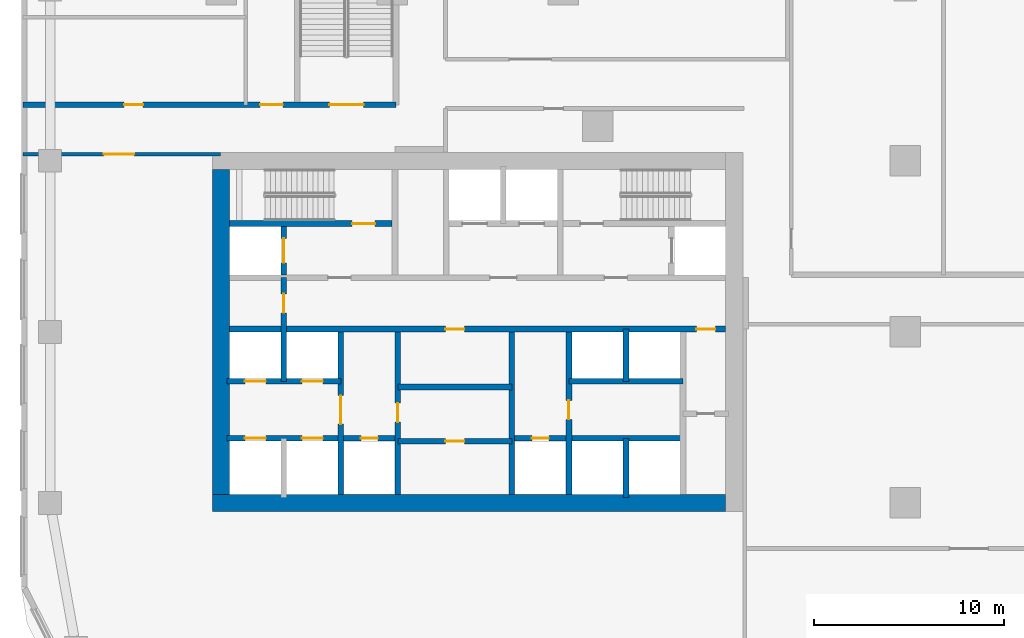
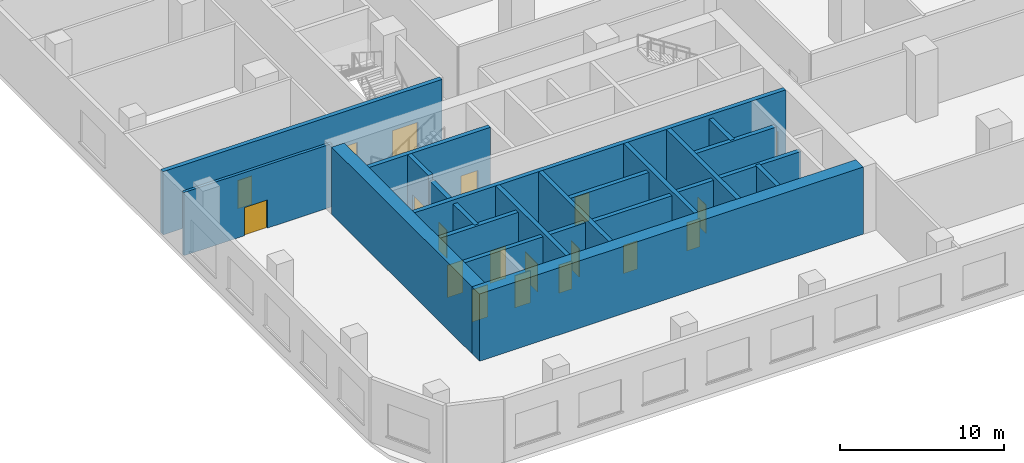
# One storey, part 6 of 35: 20 walls, 19 doors, 19 openings.
"""IFC4 building model written with IfcOpenShell, lengths in metres."""

from ifc_helpers import new_model, si_unit, direction, frame, frame_2d, origin, place, context, subcontext, project, spatial, rectangle, extrude, material, layer, layer_set, type_object, element, fill, save


model = new_model("IFC4")

# Units and contexts
model_context = context("Model", 3, precision=1e-05, world=origin(), true_north=direction((0.0, 1.0)))
body_context = subcontext(model_context, "Body", "Model", "MODEL_VIEW")
ifc_project = project(units=[si_unit("LENGTHUNIT", "METRE"), si_unit("AREAUNIT", "SQUARE_METRE"), si_unit("VOLUMEUNIT", "CUBIC_METRE"), si_unit("PLANEANGLEUNIT", "RADIAN"), si_unit("MASSUNIT", "GRAM", prefix="KILO")], contexts=[model_context])

# Site, building, storey
site_placement = place(None, origin())
site = spatial("IfcSite", under=ifc_project, at=site_placement, CompositionType="ELEMENT")
building_placement = place(site_placement, origin())
building = spatial("IfcBuilding", under=site, at=building_placement, Name="Ogive Portal Towers", CompositionType="ELEMENT")
storey_placement = place(building_placement, frame((0.0, 0.0, 23.5)))
storey = spatial("IfcBuildingStorey", under=building, at=storey_placement, Name="L04", CompositionType="ELEMENT", Elevation=23.5)

# Wall, opening, door
ifc_material_1 = material(Name="Concrete C60/75", Category="concrete")
ifc_layer_1 = layer(ifc_material_1, 0.300048828125)
ifc_layer_set_1 = layer_set([ifc_layer_1], Name="CORE WALL 300 C60")
wall_type_1 = type_object("IfcWallType", Name="CORE WALL 300 C60", PredefinedType="SHEAR", material=ifc_layer_set_1)
wall_1_placement = place(storey_placement, frame((37.800048828125, 21.949951171875, 0.0), z_axis=(0.0, 0.0, 1.0), x_axis=(0.0, 1.0, 0.0)))
wall_1 = element("IfcWall", 1, at=wall_1_placement, inside=storey, type_object=wall_type_1, Name="Core wall X1 L04", PredefinedType="SHEAR", context=body_context, shape_type="SweptSolid", body=[
    extrude(rectangle(XDim=8.550048828125, YDim=0.300048828125, at=frame_2d((4.27490234375, 0.0))), origin(), (0.0, 0.0, 1.0), 5.0),
])
opening_1_placement = place(wall_1_placement, frame((3.699951171875, 0.0, 0.0)))
opening_1 = element("IfcOpeningElement", 2, at=opening_1_placement, cuts=wall_1, Name="Opening D106-001", PredefinedType="OPENING", context=body_context, shape_type="SweptSolid", body=[
    extrude(rectangle(XDim=1.5, YDim=2.10009765625, at=frame_2d((0.75, 1.050048828125))), frame((0.0, 0.16015625, 0.0), z_axis=(0.0, -1.0, 0.0), x_axis=(1.0, 0.0, 0.0)), (0.0, 0.0, 1.0), 0.320068359375),
])
ifc_material_2 = material(Name="Steel fire door", Category="steel")
door_type_1 = type_object("IfcDoorType", Name="DT-SWING-1500x2100-FD90S", OperationType="SINGLE_SWING_LEFT", PredefinedType="DOOR", material=ifc_material_2)
door_1_placement = place(opening_1_placement, origin())
door_1 = element("IfcDoor", 3, at=door_1_placement, inside=storey, type_object=door_type_1, Name="Door D106-001", OperationType="SINGLE_SWING_LEFT", OverallHeight=2.10009765625, OverallWidth=1.5, PredefinedType="DOOR", context=body_context, shape_type="SweptSolid", body=[
    extrude(rectangle(XDim=1.5, YDim=2.10009765625, at=frame_2d((0.75, 1.050048828125))), frame((0.0, 0.02490234375, 0.0), z_axis=(0.0, -1.0, 0.0), x_axis=(1.0, 0.0, 0.0)), (0.0, 0.0, 1.0), 0.050048828125),
])
fill(opening_1, door_1)

wall_2_placement = place(storey_placement, frame((40.800048828125, 21.949951171875, 0.0), z_axis=(0.0, 0.0, 1.0), x_axis=(0.0, 1.0, 0.0)))
wall_2 = element("IfcWall", 4, at=wall_2_placement, inside=storey, type_object=wall_type_1, Name="Core wall X2 L04", PredefinedType="SHEAR", context=body_context, shape_type="SweptSolid", body=[
    extrude(rectangle(XDim=8.550048828125, YDim=0.300048828125, at=frame_2d((4.27490234375, 0.0))), origin(), (0.0, 0.0, 1.0), 5.0),
])
opening_2_placement = place(wall_2_placement, frame((3.800048828125, 0.0, 0.0)))
opening_2 = element("IfcOpeningElement", 5, at=opening_2_placement, cuts=wall_2, Name="Opening D106-020", PredefinedType="OPENING", context=body_context, shape_type="SweptSolid", body=[
    extrude(rectangle(XDim=1.0, YDim=2.10009765625, at=frame_2d((0.5, 1.050048828125))), frame((0.0, 0.16015625, 0.0), z_axis=(0.0, -1.0, 0.0), x_axis=(1.0, 0.0, 0.0)), (0.0, 0.0, 1.0), 0.320068359375),
])
door_type_2 = type_object("IfcDoorType", Name="DT-SWING-1000x2100-FD90S", OperationType="SINGLE_SWING_LEFT", PredefinedType="DOOR", material=ifc_material_2)
door_2_placement = place(opening_2_placement, origin())
door_2 = element("IfcDoor", 6, at=door_2_placement, inside=storey, type_object=door_type_2, Name="Door D106-020", OperationType="SINGLE_SWING_RIGHT", OverallHeight=2.10009765625, OverallWidth=1.0, PredefinedType="DOOR", context=body_context, shape_type="SweptSolid", body=[
    extrude(rectangle(XDim=1.0, YDim=2.10009765625, at=frame_2d((0.5, 1.050048828125))), frame((0.0, 0.02490234375, 0.0), z_axis=(0.0, -1.0, 0.0), x_axis=(1.0, 0.0, 0.0)), (0.0, 0.0, 1.0), 0.050048828125),
])
fill(opening_2, door_2)

# Wall
wall_3_placement = place(storey_placement, frame((46.800048828125, 21.949951171875, 0.0), z_axis=(0.0, 0.0, 1.0), x_axis=(0.0, 1.0, 0.0)))
element("IfcWall", 7, at=wall_3_placement, inside=storey, type_object=wall_type_1, Name="Core wall X3 L04", PredefinedType="SHEAR", context=body_context, shape_type="SweptSolid", body=[
    extrude(rectangle(XDim=8.550048828125, YDim=0.300048828125, at=frame_2d((4.27490234375, 0.0))), origin(), (0.0, 0.0, 1.0), 5.0),
])

# Wall, opening, door
wall_4_placement = place(storey_placement, frame((49.800048828125, 21.949951171875, 0.0), z_axis=(0.0, 0.0, 1.0), x_axis=(0.0, 1.0, 0.0)))
wall_4 = element("IfcWall", 8, at=wall_4_placement, inside=storey, type_object=wall_type_1, Name="Core wall X4 L04", PredefinedType="SHEAR", context=body_context, shape_type="SweptSolid", body=[
    extrude(rectangle(XDim=8.550048828125, YDim=0.300048828125, at=frame_2d((4.27490234375, 0.0))), origin(), (0.0, 0.0, 1.0), 5.0),
])
opening_3_placement = place(wall_4_placement, frame((3.949951171875, 0.0, 0.0)))
opening_3 = element("IfcOpeningElement", 9, at=opening_3_placement, cuts=wall_4, Name="Opening D106-022", PredefinedType="OPENING", context=body_context, shape_type="SweptSolid", body=[
    extrude(rectangle(XDim=1.0, YDim=2.10009765625, at=frame_2d((0.5, 1.050048828125))), frame((0.0, 0.16015625, 0.0), z_axis=(0.0, -1.0, 0.0), x_axis=(1.0, 0.0, 0.0)), (0.0, 0.0, 1.0), 0.320068359375),
])
door_3_placement = place(opening_3_placement, origin())
door_3 = element("IfcDoor", 10, at=door_3_placement, inside=storey, type_object=door_type_2, Name="Door D106-022", OperationType="SINGLE_SWING_RIGHT", OverallHeight=2.10009765625, OverallWidth=1.0, PredefinedType="DOOR", context=body_context, shape_type="SweptSolid", body=[
    extrude(rectangle(XDim=1.0, YDim=2.10009765625, at=frame_2d((0.5, 1.050048828125))), frame((0.0, 0.02490234375, 0.0), z_axis=(0.0, -1.0, 0.0), x_axis=(1.0, 0.0, 0.0)), (0.0, 0.0, 1.0), 0.050048828125),
])
fill(opening_3, door_3)

# Wall, openings, doors
wall_5_placement = place(storey_placement, frame((31.949951171875, 30.64990234375, 0.0), z_axis=(0.0, 0.0, 1.0), x_axis=(1.0, 0.0, 0.0)))
wall_5 = element("IfcWall", 11, at=wall_5_placement, inside=storey, type_object=wall_type_1, Name="Core wall Y1 L04", PredefinedType="SHEAR", context=body_context, shape_type="SweptSolid", body=[
    extrude(rectangle(XDim=26.10009765625, YDim=0.300048828125, at=frame_2d((13.050048828125, 0.0))), origin(), (0.0, 0.0, 1.0), 5.0),
])
opening_4_placement = place(wall_5_placement, frame((24.550048828125, 0.0, 0.0)))
opening_4 = element("IfcOpeningElement", 12, at=opening_4_placement, cuts=wall_5, Name="Opening D106-009", PredefinedType="OPENING", context=body_context, shape_type="SweptSolid", body=[
    extrude(rectangle(XDim=1.0, YDim=2.10009765625, at=frame_2d((0.5, 1.050048828125))), frame((0.0, 0.16015625, 0.0), z_axis=(0.0, -1.0, 0.0), x_axis=(1.0, 0.0, 0.0)), (0.0, 0.0, 1.0), 0.320068359375),
])
opening_5_placement = place(wall_5_placement, frame((11.35009765625, 0.0, 0.0)))
opening_5 = element("IfcOpeningElement", 13, at=opening_5_placement, cuts=wall_5, Name="Opening D106-019", PredefinedType="OPENING", context=body_context, shape_type="SweptSolid", body=[
    extrude(rectangle(XDim=1.0, YDim=2.10009765625, at=frame_2d((0.5, 1.050048828125))), frame((0.0, 0.16015625, 0.0), z_axis=(0.0, -1.0, 0.0), x_axis=(1.0, 0.0, 0.0)), (0.0, 0.0, 1.0), 0.320068359375),
])
door_4_placement = place(opening_4_placement, origin())
door_4 = element("IfcDoor", 14, at=door_4_placement, inside=storey, type_object=door_type_2, Name="Door D106-009", OperationType="SINGLE_SWING_LEFT", OverallHeight=2.10009765625, OverallWidth=1.0, PredefinedType="DOOR", context=body_context, shape_type="SweptSolid", body=[
    extrude(rectangle(XDim=1.0, YDim=2.10009765625, at=frame_2d((0.5, 1.050048828125))), frame((0.0, 0.02490234375, 0.0), z_axis=(0.0, -1.0, 0.0), x_axis=(1.0, 0.0, 0.0)), (0.0, 0.0, 1.0), 0.050048828125),
])
fill(opening_4, door_4)
door_5_placement = place(opening_5_placement, origin())
door_5 = element("IfcDoor", 15, at=door_5_placement, inside=storey, type_object=door_type_2, Name="Door D106-019", OperationType="SINGLE_SWING_LEFT", OverallHeight=2.10009765625, OverallWidth=1.0, PredefinedType="DOOR", context=body_context, shape_type="SweptSolid", body=[
    extrude(rectangle(XDim=1.0, YDim=2.10009765625, at=frame_2d((0.5, 1.050048828125))), frame((0.0, 0.02490234375, 0.0), z_axis=(0.0, -1.0, 0.0), x_axis=(1.0, 0.0, 0.0)), (0.0, 0.0, 1.0), 0.050048828125),
])
fill(opening_5, door_5)

# Wall, opening, door
wall_6_placement = place(storey_placement, frame((31.949951171875, 36.199951171875, 0.0), z_axis=(0.0, 0.0, 1.0), x_axis=(1.0, 0.0, 0.0)))
wall_6 = element("IfcWall", 16, at=wall_6_placement, inside=storey, type_object=wall_type_1, Name="Core wall Y3a L04", PredefinedType="SHEAR", context=body_context, shape_type="SweptSolid", body=[
    extrude(rectangle(XDim=8.550048828125, YDim=0.300048828125, at=frame_2d((4.27490234375, 0.0))), origin(), (0.0, 0.0, 1.0), 5.0),
])
opening_6_placement = place(wall_6_placement, frame((6.449951171875, 0.0, 0.0)))
opening_6 = element("IfcOpeningElement", 17, at=opening_6_placement, cuts=wall_6, Name="Opening D106-005", PredefinedType="OPENING", context=body_context, shape_type="SweptSolid", body=[
    extrude(rectangle(XDim=1.199951171875, YDim=2.10009765625, at=frame_2d((0.60009765625, 1.050048828125))), frame((0.0, 0.16015625, 0.0), z_axis=(0.0, -1.0, 0.0), x_axis=(1.0, 0.0, 0.0)), (0.0, 0.0, 1.0), 0.320068359375),
])
door_type_3 = type_object("IfcDoorType", Name="DT-SWING-1200x2100-FD90S", OperationType="SINGLE_SWING_LEFT", PredefinedType="DOOR", material=ifc_material_2)
door_6_placement = place(opening_6_placement, origin())
door_6 = element("IfcDoor", 18, at=door_6_placement, inside=storey, type_object=door_type_3, Name="Door D106-005", OperationType="SINGLE_SWING_RIGHT", OverallHeight=2.10009765625, OverallWidth=1.199951171875, PredefinedType="DOOR", context=body_context, shape_type="SweptSolid", body=[
    extrude(rectangle(XDim=1.199951171875, YDim=2.10009765625, at=frame_2d((0.60009765625, 1.050048828125))), frame((0.0, 0.02490234375, 0.0), z_axis=(0.0, -1.0, 0.0), x_axis=(1.0, 0.0, 0.0)), (0.0, 0.0, 1.0), 0.050048828125),
])
fill(opening_6, door_6)

wall_7_placement = place(storey_placement, frame((34.800048828125, 33.5, 0.0), z_axis=(0.0, 0.0, 1.0), x_axis=(0.0, 1.0, 0.0)))
wall_7 = element("IfcWall", 19, at=wall_7_placement, inside=storey, type_object=wall_type_1, Name="Core wall X8 L04", PredefinedType="SHEAR", context=body_context, shape_type="SweptSolid", body=[
    extrude(rectangle(XDim=2.550048828125, YDim=0.300048828125, at=frame_2d((1.27490234375, 0.0))), origin(), (0.0, 0.0, 1.0), 5.0),
])
opening_7_placement = place(wall_7_placement, frame((0.625, 0.0, 0.0)))
opening_7 = element("IfcOpeningElement", 20, at=opening_7_placement, cuts=wall_7, Name="Opening D106-017", PredefinedType="OPENING", context=body_context, shape_type="SweptSolid", body=[
    extrude(rectangle(XDim=1.300048828125, YDim=2.39990234375, at=frame_2d((0.64990234375, 1.199951171875))), frame((0.0, 0.16015625, 0.0), z_axis=(0.0, -1.0, 0.0), x_axis=(1.0, 0.0, 0.0)), (0.0, 0.0, 1.0), 0.320068359375),
])
ifc_material_3 = material(Name="Stainless steel", Category="steel")
door_type_4 = type_object("IfcDoorType", Name="DT-LD-1300x2400", OperationType="SLIDING_TO_LEFT", PredefinedType="DOOR", material=ifc_material_3)
door_7_placement = place(opening_7_placement, origin())
door_7 = element("IfcDoor", 21, at=door_7_placement, inside=storey, type_object=door_type_4, Name="Door D106-017", OperationType="SLIDING_TO_LEFT", OverallHeight=2.39990234375, OverallWidth=1.300048828125, PredefinedType="DOOR", context=body_context, shape_type="SweptSolid", body=[
    extrude(rectangle(XDim=1.300048828125, YDim=2.39990234375, at=frame_2d((0.64990234375, 1.199951171875))), frame((0.0, 0.02490234375, 0.0), z_axis=(0.0, -1.0, 0.0), x_axis=(1.0, 0.0, 0.0)), (0.0, 0.0, 1.0), 0.050048828125),
])
fill(opening_7, door_7)

# Walls
ifc_layer_2 = layer(ifc_material_1, 0.89990234375)
ifc_layer_set_2 = layer_set([ifc_layer_2], Name="CORE WALL 900 C60")
wall_type_2 = type_object("IfcWallType", Name="CORE WALL 900 C60", PredefinedType="SHEAR", material=ifc_layer_set_2)
wall_8_placement = place(storey_placement, frame((31.5, 21.949951171875, 0.0), z_axis=(0.0, 0.0, 1.0), x_axis=(0.0, 1.0, 0.0)))
element("IfcWall", 22, at=wall_8_placement, inside=storey, type_object=wall_type_2, Name="Core wall W L04", PredefinedType="SHEAR", context=body_context, shape_type="SweptSolid", body=[
    extrude(rectangle(XDim=17.10009765625, YDim=0.89990234375, at=frame_2d((8.550048828125, 0.0))), origin(), (0.0, 0.0, 1.0), 5.0),
])
wall_9_placement = place(storey_placement, frame((31.050048828125, 21.5, 0.0), z_axis=(0.0, 0.0, 1.0), x_axis=(1.0, 0.0, 0.0)))
element("IfcWall", 23, at=wall_9_placement, inside=storey, type_object=wall_type_2, Name="Core wall S L04", PredefinedType="SHEAR", context=body_context, shape_type="SweptSolid", body=[
    extrude(rectangle(XDim=27.0, YDim=0.89990234375, at=frame_2d((13.5, 0.0))), origin(), (0.0, 0.0, 1.0), 5.0),
])

# Wall, openings, doors
ifc_material_4 = material(Name="Concrete C50/60", Category="concrete")
ifc_layer_3 = layer(ifc_material_4, 0.300048828125)
ifc_layer_set_3 = layer_set([ifc_layer_3], Name="STAIR WALL 300 C50")
wall_type_3 = type_object("IfcWallType", Name="STAIR WALL 300 C50", PredefinedType="SHEAR", material=ifc_layer_set_3)
wall_10_placement = place(storey_placement, frame((21.070068359375, 42.449951171875, 0.0), z_axis=(0.0, 0.0, 1.0), x_axis=(1.0, 0.0, 0.0)))
wall_10 = element("IfcWall", 24, at=wall_10_placement, inside=storey, type_object=wall_type_3, Name="Stair wall ST-P2 L04", PredefinedType="SHEAR", context=body_context, shape_type="SweptSolid", body=[
    extrude(rectangle(XDim=19.6298828125, YDim=0.300048828125, at=frame_2d((9.81494140625, 0.0))), origin(), (0.0, 0.0, 1.0), 4.699951171875),
])
opening_8_placement = place(wall_10_placement, frame((16.1298828125, 0.0, 0.0)))
opening_8 = element("IfcOpeningElement", 25, at=opening_8_placement, cuts=wall_10, Name="Opening P04-004", PredefinedType="OPENING", context=body_context, shape_type="SweptSolid", body=[
    extrude(rectangle(XDim=1.800048828125, YDim=2.10009765625, at=frame_2d((0.89990234375, 1.050048828125))), frame((0.0, 0.16015625, 0.0), z_axis=(0.0, -1.0, 0.0), x_axis=(1.0, 0.0, 0.0)), (0.0, 0.0, 1.0), 0.320068359375),
])
opening_9_placement = place(wall_10_placement, frame((12.47998046875, 0.0, 0.0)))
opening_9 = element("IfcOpeningElement", 26, at=opening_9_placement, cuts=wall_10, Name="Opening P04-005", PredefinedType="OPENING", context=body_context, shape_type="SweptSolid", body=[
    extrude(rectangle(XDim=1.199951171875, YDim=2.10009765625, at=frame_2d((0.60009765625, 1.050048828125))), frame((0.0, 0.16015625, 0.0), z_axis=(0.0, -1.0, 0.0), x_axis=(1.0, 0.0, 0.0)), (0.0, 0.0, 1.0), 0.320068359375),
])
opening_10_placement = place(wall_10_placement, frame((5.330078125, 0.0, 0.0)))
opening_10 = element("IfcOpeningElement", 27, at=opening_10_placement, cuts=wall_10, Name="Opening P04-020", PredefinedType="OPENING", context=body_context, shape_type="SweptSolid", body=[
    extrude(rectangle(XDim=1.0, YDim=2.10009765625, at=frame_2d((0.5, 1.050048828125))), frame((0.0, 0.16015625, 0.0), z_axis=(0.0, -1.0, 0.0), x_axis=(1.0, 0.0, 0.0)), (0.0, 0.0, 1.0), 0.320068359375),
])
door_8_placement = place(opening_10_placement, origin())
door_8 = element("IfcDoor", 28, at=door_8_placement, inside=storey, type_object=door_type_2, Name="Door P04-020", OperationType="SINGLE_SWING_RIGHT", OverallHeight=2.10009765625, OverallWidth=1.0, PredefinedType="DOOR", context=body_context, shape_type="SweptSolid", body=[
    extrude(rectangle(XDim=1.0, YDim=2.10009765625, at=frame_2d((0.5, 1.050048828125))), frame((0.0, 0.02490234375, 0.0), z_axis=(0.0, -1.0, 0.0), x_axis=(1.0, 0.0, 0.0)), (0.0, 0.0, 1.0), 0.050048828125),
])
fill(opening_10, door_8)
door_9_placement = place(opening_9_placement, origin())
door_9 = element("IfcDoor", 29, at=door_9_placement, inside=storey, type_object=door_type_3, Name="Door P04-005", OperationType="SINGLE_SWING_LEFT", OverallHeight=2.10009765625, OverallWidth=1.199951171875, PredefinedType="DOOR", context=body_context, shape_type="SweptSolid", body=[
    extrude(rectangle(XDim=1.199951171875, YDim=2.10009765625, at=frame_2d((0.60009765625, 1.050048828125))), frame((0.0, 0.02490234375, 0.0), z_axis=(0.0, -1.0, 0.0), x_axis=(1.0, 0.0, 0.0)), (0.0, 0.0, 1.0), 0.050048828125),
])
fill(opening_9, door_9)
door_type_5 = type_object("IfcDoorType", Name="DT-SWING-1800x2100-FD90S", OperationType="SINGLE_SWING_LEFT", PredefinedType="DOOR", material=ifc_material_2)
door_10_placement = place(opening_8_placement, origin())
door_10 = element("IfcDoor", 30, at=door_10_placement, inside=storey, type_object=door_type_5, Name="Door P04-004", OperationType="SINGLE_SWING_RIGHT", OverallHeight=2.10009765625, OverallWidth=1.800048828125, PredefinedType="DOOR", context=body_context, shape_type="SweptSolid", body=[
    extrude(rectangle(XDim=1.800048828125, YDim=2.10009765625, at=frame_2d((0.89990234375, 1.050048828125))), frame((0.0, 0.02490234375, 0.0), z_axis=(0.0, -1.0, 0.0), x_axis=(1.0, 0.0, 0.0)), (0.0, 0.0, 1.0), 0.050048828125),
])
fill(opening_8, door_10)

# Wall, opening, door
ifc_material_5 = material(Name="Gypsum board partition on steel studs", Category="steel")
ifc_layer_4 = layer(ifc_material_5, 0.199951171875)
ifc_layer_set_4 = layer_set([ifc_layer_4], Name="WT-PART-200-EI 60")
wall_type_4 = type_object("IfcWallType", Name="WT-PART-200-EI 60", PredefinedType="PARTITIONING", material=ifc_layer_set_4)
wall_11_placement = place(storey_placement, frame((21.070068359375, 39.85009765625, 0.0), z_axis=(0.0, 0.0, 1.0), x_axis=(1.0, 0.0, 0.0)))
wall_11 = element("IfcWall", 31, at=wall_11_placement, inside=storey, type_object=wall_type_4, Name="Wall L04:w030", PredefinedType="PARTITIONING", context=body_context, shape_type="SweptSolid", body=[
    extrude(rectangle(XDim=10.409912109375, YDim=0.199951171875, at=frame_2d((5.205078125, 0.0))), origin(), (0.0, 0.0, 1.0), 4.699951171875),
])
opening_11_placement = place(wall_11_placement, frame((4.257080078125, 0.0, 0.0)))
opening_11 = element("IfcOpeningElement", 32, at=opening_11_placement, cuts=wall_11, Name="Opening P04-019", PredefinedType="OPENING", context=body_context, shape_type="SweptSolid", body=[
    extrude(rectangle(XDim=1.60009765625, YDim=2.10009765625, at=frame_2d((0.800048828125, 1.050048828125))), frame((0.0, 0.10986328125, 0.0), z_axis=(0.0, -1.0, 0.0), x_axis=(1.0, 0.0, 0.0)), (0.0, 0.0, 1.0), 0.219970703125),
])
door_type_6 = type_object("IfcDoorType", Name="DT-SWING-1600x2100-FD60S", OperationType="SINGLE_SWING_LEFT", PredefinedType="DOOR", material=ifc_material_2)
door_11_placement = place(opening_11_placement, origin())
door_11 = element("IfcDoor", 33, at=door_11_placement, inside=storey, type_object=door_type_6, Name="Door P04-019", OperationType="SINGLE_SWING_LEFT", OverallHeight=2.10009765625, OverallWidth=1.60009765625, PredefinedType="DOOR", context=body_context, shape_type="SweptSolid", body=[
    extrude(rectangle(XDim=1.60009765625, YDim=2.10009765625, at=frame_2d((0.800048828125, 1.050048828125))), frame((0.0, 0.02490234375, 0.0), z_axis=(0.0, -1.0, 0.0), x_axis=(1.0, 0.0, 0.0)), (0.0, 0.0, 1.0), 0.050048828125),
])
fill(opening_11, door_11)

ifc_layer_5 = layer(ifc_material_5, 0.300048828125)
ifc_layer_set_5 = layer_set([ifc_layer_5], Name="WT-PART-300")
wall_type_5 = type_object("IfcWallType", Name="WT-PART-300", PredefinedType="PARTITIONING", material=ifc_layer_set_5)
wall_12_placement = place(storey_placement, frame((40.800048828125, 24.75, 0.0), z_axis=(0.0, 0.0, 1.0), x_axis=(1.0, 0.0, 0.0)))
wall_12 = element("IfcWall", 34, at=wall_12_placement, inside=storey, type_object=wall_type_5, Name="Wall pw:001:L04", PredefinedType="PARTITIONING", context=body_context, shape_type="SweptSolid", body=[
    extrude(rectangle(XDim=6.0, YDim=0.300048828125, at=frame_2d((3.0, 0.0))), origin(), (0.0, 0.0, 1.0), 4.699951171875),
])
opening_12_placement = place(wall_12_placement, frame((2.5, 0.0, 0.0)))
opening_12 = element("IfcOpeningElement", 35, at=opening_12_placement, cuts=wall_12, Name="Opening D106-021", PredefinedType="OPENING", context=body_context, shape_type="SweptSolid", body=[
    extrude(rectangle(XDim=1.0, YDim=2.10009765625, at=frame_2d((0.5, 1.050048828125))), frame((0.0, 0.16015625, 0.0), z_axis=(0.0, -1.0, 0.0), x_axis=(1.0, 0.0, 0.0)), (0.0, 0.0, 1.0), 0.320068359375),
])
door_type_7 = type_object("IfcDoorType", Name="DT-SWING-1000x2100-FD60S", OperationType="SINGLE_SWING_LEFT", PredefinedType="DOOR", material=ifc_material_2)
door_12_placement = place(opening_12_placement, origin())
door_12 = element("IfcDoor", 36, at=door_12_placement, inside=storey, type_object=door_type_7, Name="Door D106-021", OperationType="SINGLE_SWING_RIGHT", OverallHeight=2.10009765625, OverallWidth=1.0, PredefinedType="DOOR", context=body_context, shape_type="SweptSolid", body=[
    extrude(rectangle(XDim=1.0, YDim=2.10009765625, at=frame_2d((0.5, 1.050048828125))), frame((0.0, 0.02490234375, 0.0), z_axis=(0.0, -1.0, 0.0), x_axis=(1.0, 0.0, 0.0)), (0.0, 0.0, 1.0), 0.050048828125),
])
fill(opening_12, door_12)

# Wall
wall_13_placement = place(storey_placement, frame((40.800048828125, 27.60009765625, 0.0), z_axis=(0.0, 0.0, 1.0), x_axis=(1.0, 0.0, 0.0)))
element("IfcWall", 37, at=wall_13_placement, inside=storey, type_object=wall_type_5, Name="Wall pw:005:L04", PredefinedType="PARTITIONING", context=body_context, shape_type="SweptSolid", body=[
    extrude(rectangle(XDim=6.0, YDim=0.300048828125, at=frame_2d((3.0, 0.0))), origin(), (0.0, 0.0, 1.0), 4.699951171875),
])

# Wall, openings, doors
ifc_material_6 = material(Name="Concrete C40/50", Category="concrete")
ifc_layer_6 = layer(ifc_material_6, 0.300048828125)
ifc_layer_set_6 = layer_set([ifc_layer_6], Name="WT-SHAFT-300")
wall_type_6 = type_object("IfcWallType", Name="WT-SHAFT-300", PredefinedType="SOLIDWALL", material=ifc_layer_set_6)
wall_14_placement = place(storey_placement, frame((31.800048828125, 24.89990234375, 0.0), z_axis=(0.0, 0.0, 1.0), x_axis=(1.0, 0.0, 0.0)))
wall_14 = element("IfcWall", 38, at=wall_14_placement, inside=storey, type_object=wall_type_6, Name="Wall pw:002:L04", PredefinedType="SOLIDWALL", context=body_context, shape_type="SweptSolid", body=[
    extrude(rectangle(XDim=9.0, YDim=0.300048828125, at=frame_2d((4.5, 0.0))), origin(), (0.0, 0.0, 1.0), 4.699951171875),
])
opening_13_placement = place(wall_14_placement, frame((7.050048828125, 0.0, 0.0)))
opening_13 = element("IfcOpeningElement", 39, at=opening_13_placement, cuts=wall_14, Name="Opening D106-007", PredefinedType="OPENING", context=body_context, shape_type="SweptSolid", body=[
    extrude(rectangle(XDim=0.89990234375, YDim=2.10009765625, at=frame_2d((0.449951171875, 1.050048828125))), frame((0.0, 0.16015625, 0.0), z_axis=(0.0, -1.0, 0.0), x_axis=(1.0, 0.0, 0.0)), (0.0, 0.0, 1.0), 0.320068359375),
])
opening_14_placement = place(wall_14_placement, frame((0.949951171875, 0.0, 0.0)))
opening_14 = element("IfcOpeningElement", 40, at=opening_14_placement, cuts=wall_14, Name="Opening D106-011", PredefinedType="OPENING", context=body_context, shape_type="SweptSolid", body=[
    extrude(rectangle(XDim=1.10009765625, YDim=2.39990234375, at=frame_2d((0.550048828125, 1.199951171875))), frame((0.0, 0.16015625, 0.0), z_axis=(0.0, -1.0, 0.0), x_axis=(1.0, 0.0, 0.0)), (0.0, 0.0, 1.0), 0.320068359375),
])
opening_15_placement = place(wall_14_placement, frame((3.949951171875, 0.0, 0.0)))
opening_15 = element("IfcOpeningElement", 41, at=opening_15_placement, cuts=wall_14, Name="Opening D106-012", PredefinedType="OPENING", context=body_context, shape_type="SweptSolid", body=[
    extrude(rectangle(XDim=1.10009765625, YDim=2.39990234375, at=frame_2d((0.550048828125, 1.199951171875))), frame((0.0, 0.16015625, 0.0), z_axis=(0.0, -1.0, 0.0), x_axis=(1.0, 0.0, 0.0)), (0.0, 0.0, 1.0), 0.320068359375),
])
door_type_8 = type_object("IfcDoorType", Name="DT-LD-1100x2400", OperationType="SLIDING_TO_LEFT", PredefinedType="DOOR", material=ifc_material_3)
door_13_placement = place(opening_14_placement, origin())
door_13 = element("IfcDoor", 42, at=door_13_placement, inside=storey, type_object=door_type_8, Name="Door D106-011", OperationType="SLIDING_TO_LEFT", OverallHeight=2.39990234375, OverallWidth=1.10009765625, PredefinedType="DOOR", context=body_context, shape_type="SweptSolid", body=[
    extrude(rectangle(XDim=1.10009765625, YDim=2.39990234375, at=frame_2d((0.550048828125, 1.199951171875))), frame((0.0, 0.02490234375, 0.0), z_axis=(0.0, -1.0, 0.0), x_axis=(1.0, 0.0, 0.0)), (0.0, 0.0, 1.0), 0.050048828125),
])
fill(opening_14, door_13)
door_14_placement = place(opening_15_placement, origin())
door_14 = element("IfcDoor", 43, at=door_14_placement, inside=storey, type_object=door_type_8, Name="Door D106-012", OperationType="SLIDING_TO_LEFT", OverallHeight=2.39990234375, OverallWidth=1.10009765625, PredefinedType="DOOR", context=body_context, shape_type="SweptSolid", body=[
    extrude(rectangle(XDim=1.10009765625, YDim=2.39990234375, at=frame_2d((0.550048828125, 1.199951171875))), frame((0.0, 0.02490234375, 0.0), z_axis=(0.0, -1.0, 0.0), x_axis=(1.0, 0.0, 0.0)), (0.0, 0.0, 1.0), 0.050048828125),
])
fill(opening_15, door_14)
door_type_9 = type_object("IfcDoorType", Name="DT-SWING-900x2100-FD90S", OperationType="SINGLE_SWING_LEFT", PredefinedType="DOOR", material=ifc_material_2)
door_15_placement = place(opening_13_placement, origin())
door_15 = element("IfcDoor", 44, at=door_15_placement, inside=storey, type_object=door_type_9, Name="Riser access door D106-007", OperationType="SINGLE_SWING_LEFT", OverallHeight=2.10009765625, OverallWidth=0.89990234375, PredefinedType="DOOR", context=body_context, shape_type="SweptSolid", body=[
    extrude(rectangle(XDim=0.89990234375, YDim=2.10009765625, at=frame_2d((0.449951171875, 1.050048828125))), frame((0.0, 0.02490234375, 0.0), z_axis=(0.0, -1.0, 0.0), x_axis=(1.0, 0.0, 0.0)), (0.0, 0.0, 1.0), 0.050048828125),
])
fill(opening_13, door_15)

# Wall, opening, door
wall_15_placement = place(storey_placement, frame((46.800048828125, 24.89990234375, 0.0), z_axis=(0.0, 0.0, 1.0), x_axis=(1.0, 0.0, 0.0)))
wall_15 = element("IfcWall", 45, at=wall_15_placement, inside=storey, type_object=wall_type_6, Name="Wall pw:003:L04", PredefinedType="SOLIDWALL", context=body_context, shape_type="SweptSolid", body=[
    extrude(rectangle(XDim=9.0, YDim=0.300048828125, at=frame_2d((4.5, 0.0))), origin(), (0.0, 0.0, 1.0), 4.699951171875),
])
opening_16_placement = place(wall_15_placement, frame((1.050048828125, 0.0, 0.0)))
opening_16 = element("IfcOpeningElement", 46, at=opening_16_placement, cuts=wall_15, Name="Opening D106-008", PredefinedType="OPENING", context=body_context, shape_type="SweptSolid", body=[
    extrude(rectangle(XDim=0.89990234375, YDim=2.10009765625, at=frame_2d((0.449951171875, 1.050048828125))), frame((0.0, 0.16015625, 0.0), z_axis=(0.0, -1.0, 0.0), x_axis=(1.0, 0.0, 0.0)), (0.0, 0.0, 1.0), 0.320068359375),
])
door_16_placement = place(opening_16_placement, origin())
door_16 = element("IfcDoor", 47, at=door_16_placement, inside=storey, type_object=door_type_9, Name="Riser access door D106-008", OperationType="SINGLE_SWING_RIGHT", OverallHeight=2.10009765625, OverallWidth=0.89990234375, PredefinedType="DOOR", context=body_context, shape_type="SweptSolid", body=[
    extrude(rectangle(XDim=0.89990234375, YDim=2.10009765625, at=frame_2d((0.449951171875, 1.050048828125))), frame((0.0, 0.02490234375, 0.0), z_axis=(0.0, -1.0, 0.0), x_axis=(1.0, 0.0, 0.0)), (0.0, 0.0, 1.0), 0.050048828125),
])
fill(opening_16, door_16)

# Wall, openings, doors
wall_16_placement = place(storey_placement, frame((31.800048828125, 27.89990234375, 0.0), z_axis=(0.0, 0.0, 1.0), x_axis=(1.0, 0.0, 0.0)))
wall_16 = element("IfcWall", 48, at=wall_16_placement, inside=storey, type_object=wall_type_6, Name="Wall pw:006:L04", PredefinedType="SOLIDWALL", context=body_context, shape_type="SweptSolid", body=[
    extrude(rectangle(XDim=6.0, YDim=0.300048828125, at=frame_2d((3.0, 0.0))), origin(), (0.0, 0.0, 1.0), 4.699951171875),
])
opening_17_placement = place(wall_16_placement, frame((0.949951171875, 0.0, 0.0)))
opening_17 = element("IfcOpeningElement", 49, at=opening_17_placement, cuts=wall_16, Name="Opening D106-013", PredefinedType="OPENING", context=body_context, shape_type="SweptSolid", body=[
    extrude(rectangle(XDim=1.10009765625, YDim=2.39990234375, at=frame_2d((0.550048828125, 1.199951171875))), frame((0.0, 0.16015625, 0.0), z_axis=(0.0, -1.0, 0.0), x_axis=(1.0, 0.0, 0.0)), (0.0, 0.0, 1.0), 0.320068359375),
])
opening_18_placement = place(wall_16_placement, frame((3.949951171875, 0.0, 0.0)))
opening_18 = element("IfcOpeningElement", 50, at=opening_18_placement, cuts=wall_16, Name="Opening D106-014", PredefinedType="OPENING", context=body_context, shape_type="SweptSolid", body=[
    extrude(rectangle(XDim=1.10009765625, YDim=2.39990234375, at=frame_2d((0.550048828125, 1.199951171875))), frame((0.0, 0.16015625, 0.0), z_axis=(0.0, -1.0, 0.0), x_axis=(1.0, 0.0, 0.0)), (0.0, 0.0, 1.0), 0.320068359375),
])
door_17_placement = place(opening_17_placement, origin())
door_17 = element("IfcDoor", 51, at=door_17_placement, inside=storey, type_object=door_type_8, Name="Door D106-013", OperationType="SLIDING_TO_LEFT", OverallHeight=2.39990234375, OverallWidth=1.10009765625, PredefinedType="DOOR", context=body_context, shape_type="SweptSolid", body=[
    extrude(rectangle(XDim=1.10009765625, YDim=2.39990234375, at=frame_2d((0.550048828125, 1.199951171875))), frame((0.0, 0.02490234375, 0.0), z_axis=(0.0, -1.0, 0.0), x_axis=(1.0, 0.0, 0.0)), (0.0, 0.0, 1.0), 0.050048828125),
])
fill(opening_17, door_17)
door_18_placement = place(opening_18_placement, origin())
door_18 = element("IfcDoor", 52, at=door_18_placement, inside=storey, type_object=door_type_8, Name="Door D106-014", OperationType="SLIDING_TO_LEFT", OverallHeight=2.39990234375, OverallWidth=1.10009765625, PredefinedType="DOOR", context=body_context, shape_type="SweptSolid", body=[
    extrude(rectangle(XDim=1.10009765625, YDim=2.39990234375, at=frame_2d((0.550048828125, 1.199951171875))), frame((0.0, 0.02490234375, 0.0), z_axis=(0.0, -1.0, 0.0), x_axis=(1.0, 0.0, 0.0)), (0.0, 0.0, 1.0), 0.050048828125),
])
fill(opening_18, door_18)

# Wall
wall_17_placement = place(storey_placement, frame((49.800048828125, 27.89990234375, 0.0), z_axis=(0.0, 0.0, 1.0), x_axis=(1.0, 0.0, 0.0)))
element("IfcWall", 53, at=wall_17_placement, inside=storey, type_object=wall_type_6, Name="Wall pw:007:L04", PredefinedType="SOLIDWALL", context=body_context, shape_type="SweptSolid", body=[
    extrude(rectangle(XDim=6.0, YDim=0.300048828125, at=frame_2d((3.0, 0.0))), origin(), (0.0, 0.0, 1.0), 4.699951171875),
])

# Wall, opening, door
wall_18_placement = place(storey_placement, frame((34.800048828125, 27.89990234375, 0.0), z_axis=(0.0, 0.0, 1.0), x_axis=(0.0, 1.0, 0.0)))
wall_18 = element("IfcWall", 54, at=wall_18_placement, inside=storey, type_object=wall_type_6, Name="Wall pw:012:L04", PredefinedType="SOLIDWALL", context=body_context, shape_type="SweptSolid", body=[
    extrude(rectangle(XDim=5.4501953125, YDim=0.300048828125, at=frame_2d((2.72509765625, 0.0))), origin(), (0.0, 0.0, 1.0), 4.699951171875),
])
opening_19_placement = place(wall_18_placement, frame((3.60009765625, 0.0, 0.0)))
opening_19 = element("IfcOpeningElement", 55, at=opening_19_placement, cuts=wall_18, Name="Opening D106-023", PredefinedType="OPENING", context=body_context, shape_type="SweptSolid", body=[
    extrude(rectangle(XDim=1.0, YDim=2.10009765625, at=frame_2d((0.5, 1.050048828125))), frame((0.0, 0.16015625, 0.0), z_axis=(0.0, -1.0, 0.0), x_axis=(1.0, 0.0, 0.0)), (0.0, 0.0, 1.0), 0.320068359375),
])
door_19_placement = place(opening_19_placement, origin())
door_19 = element("IfcDoor", 56, at=door_19_placement, inside=storey, type_object=door_type_2, Name="Door D106-023", OperationType="SINGLE_SWING_LEFT", OverallHeight=2.10009765625, OverallWidth=1.0, PredefinedType="DOOR", context=body_context, shape_type="SweptSolid", body=[
    extrude(rectangle(XDim=1.0, YDim=2.10009765625, at=frame_2d((0.5, 1.050048828125))), frame((0.0, 0.02490234375, 0.0), z_axis=(0.0, -1.0, 0.0), x_axis=(1.0, 0.0, 0.0)), (0.0, 0.0, 1.0), 0.050048828125),
])
fill(opening_19, door_19)

# Walls
wall_19_placement = place(storey_placement, frame((52.800048828125, 21.800048828125, 0.0), z_axis=(0.0, 0.0, 1.0), x_axis=(0.0, 1.0, 0.0)))
element("IfcWall", 57, at=wall_19_placement, inside=storey, type_object=wall_type_6, Name="Wall pw:016:L04", PredefinedType="SOLIDWALL", context=body_context, shape_type="SweptSolid", body=[
    extrude(rectangle(XDim=3.099853515625, YDim=0.300048828125, at=frame_2d((1.5498046875, 0.0))), origin(), (0.0, 0.0, 1.0), 4.699951171875),
])
wall_20_placement = place(storey_placement, frame((52.800048828125, 27.89990234375, 0.0), z_axis=(0.0, 0.0, 1.0), x_axis=(0.0, 1.0, 0.0)))
element("IfcWall", 58, at=wall_20_placement, inside=storey, type_object=wall_type_6, Name="Wall pw:017:L04", PredefinedType="SOLIDWALL", context=body_context, shape_type="SweptSolid", body=[
    extrude(rectangle(XDim=2.75, YDim=0.300048828125, at=frame_2d((1.375, 0.0))), origin(), (0.0, 0.0, 1.0), 4.699951171875),
])

save(model, "model.ifc")
